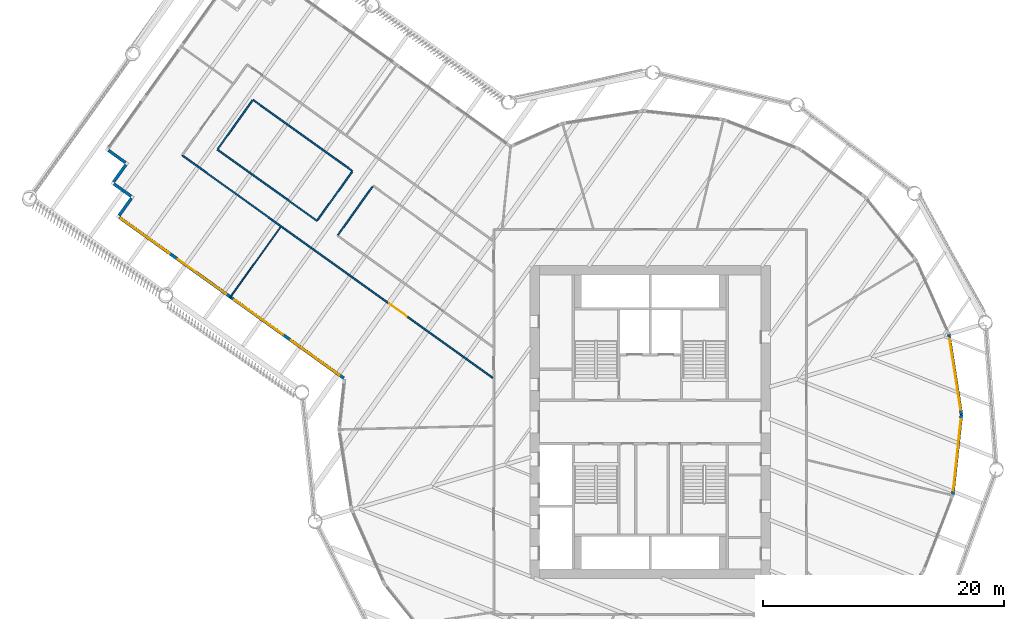
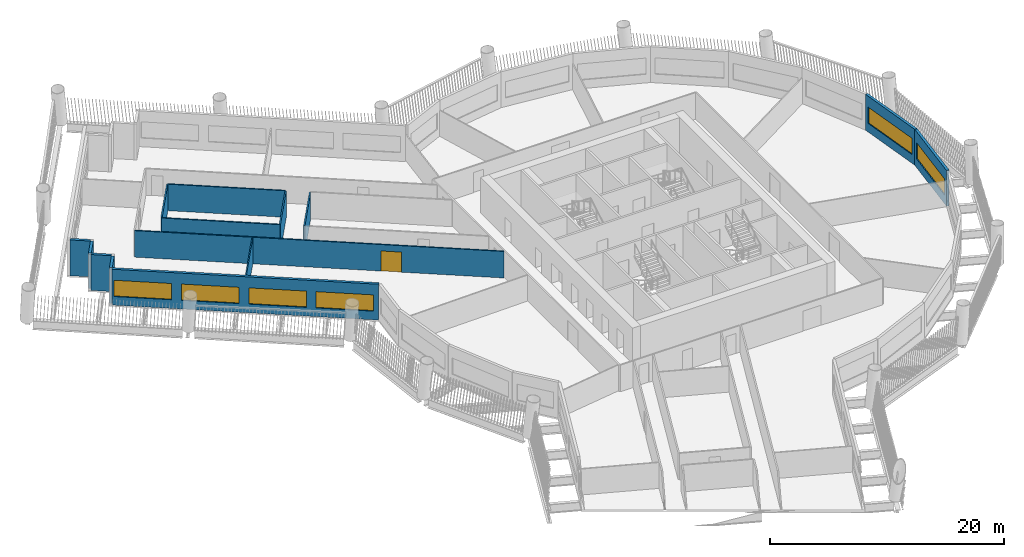
# One storey, part 6 of 17: 14 walls, 6 windows, 1 door, 7 openings.
"""IFC4 building model written with IfcOpenShell, lengths in metres."""

from ifc_helpers import new_model, si_unit, direction, frame, frame_2d, origin, place, context, subcontext, project, spatial, rectangle, extrude, material, layer, layer_set, type_object, element, fill, save


model = new_model("IFC4")

# Units and contexts
model_context = context("Model", 3, precision=1e-05, world=origin(), true_north=direction((0.0, 1.0)))
body_context = subcontext(model_context, "Body", "Model", "MODEL_VIEW")
ifc_project = project(units=[si_unit("LENGTHUNIT", "METRE"), si_unit("AREAUNIT", "SQUARE_METRE"), si_unit("VOLUMEUNIT", "CUBIC_METRE"), si_unit("PLANEANGLEUNIT", "RADIAN"), si_unit("MASSUNIT", "GRAM", prefix="KILO")], contexts=[model_context])

# Site, building, storey
site_placement = place(None, origin())
site = spatial("IfcSite", under=ifc_project, at=site_placement, CompositionType="ELEMENT")
building_placement = place(site_placement, origin())
building = spatial("IfcBuilding", under=site, at=building_placement, Name="Tarsis Ring Headquarters", CompositionType="ELEMENT")
storey_placement = place(building_placement, frame((0.0, 0.0, 127.89990234375)))
storey = spatial("IfcBuildingStorey", under=building, at=storey_placement, Name="L29", CompositionType="ELEMENT", Elevation=127.89990234375)

# Wall
ifc_material_1 = material(Name="Gypsum board on steel studs", Category="steel")
ifc_layer_1 = layer(ifc_material_1, 0.10009765625)
ifc_layer_set_1 = layer_set([ifc_layer_1], Name="FL partition 100 unrated")
wall_type_1 = type_object("IfcWallType", Name="FL partition 100 unrated", PredefinedType="PARTITIONING", material=ifc_layer_set_1)
wall_1_placement = place(storey_placement, frame((-34.931640625, 10.326416015625, 0.0), z_axis=(0.0, 0.0, 1.0), x_axis=(0.582414601541, 0.812891894358, 0.0)))
element("IfcWall", 1, at=wall_1_placement, inside=storey, type_object=wall_type_1, Name="Partition PW3", PredefinedType="PARTITIONING", context=body_context, shape_type="SweptSolid", body=[
    extrude(rectangle(XDim=7.240234375, YDim=0.10009765625, at=frame_2d((3.6201171875, 0.0))), origin(), (0.0, 0.0, 1.0), 2.7001953125),
])

# Wall, opening, door
ifc_layer_2 = layer(ifc_material_1, 0.125)
ifc_layer_set_2 = layer_set([ifc_layer_2], Name="FL partition 125 EI 60 H2770")
wall_type_2 = type_object("IfcWallType", Name="FL partition 125 EI 60 H2770", PredefinedType="PARTITIONING", material=ifc_layer_set_2)
wall_2_placement = place(storey_placement, frame((-38.900634765625, 22.16259765625, 0.0), z_axis=(0.0, 0.0, 1.0), x_axis=(0.812897758404, -0.582406416845, 0.0)))
wall_2 = element("IfcWall", 2, at=wall_2_placement, inside=storey, type_object=wall_type_2, Name="Partition PW1", PredefinedType="PARTITIONING", context=body_context, shape_type="SweptSolid", body=[
    extrude(rectangle(XDim=31.752197265625, YDim=0.125, at=frame_2d((15.8759765625, 0.0))), origin(), (0.0, 0.0, 1.0), 2.77001953125),
])
opening_1_placement = place(wall_2_placement, frame((21.171142578125, 0.0, 0.0)))
opening_1 = element("IfcOpeningElement", 3, at=opening_1_placement, cuts=wall_2, Name="Opening D29.15", PredefinedType="OPENING", context=body_context, shape_type="SweptSolid", body=[
    extrude(rectangle(XDim=1.800048828125, YDim=2.10009765625, at=frame_2d((0.89990234375, 1.050048828125))), frame((0.0, 0.072509765625, 0.0), z_axis=(0.0, -1.0, 0.0), x_axis=(1.0, 0.0, 0.0)), (0.0, 0.0, 1.0), 0.14501953125),
])
ifc_material_2 = material(Name="Fire-rated timber door leaf in steel frame", Category="steel")
door_type = type_object("IfcDoorType", Name="FL door FD60-1800", OperationType="DOUBLE_DOOR_SINGLE_SWING", PredefinedType="DOOR", material=ifc_material_2)
door_placement = place(opening_1_placement, origin())
door = element("IfcDoor", 4, at=door_placement, inside=storey, type_object=door_type, Name="Door D29.15", OperationType="DOUBLE_DOOR_SINGLE_SWING", OverallHeight=2.10009765625, OverallWidth=1.800048828125, PredefinedType="DOOR", context=body_context, shape_type="SweptSolid", body=[
    extrude(rectangle(XDim=1.800048828125, YDim=2.10009765625, at=frame_2d((0.89990234375, 1.050048828125))), frame((0.0, 0.02490234375, 0.0), z_axis=(0.0, -1.0, 0.0), x_axis=(1.0, 0.0, 0.0)), (0.0, 0.0, 1.0), 0.050048828125),
])
fill(opening_1, door)

# Walls
wall_3_placement = place(storey_placement, frame((-33.011962890625, 26.7763671875, 0.0), z_axis=(0.0, 0.0, 1.0), x_axis=(0.812898119355, -0.582405913044, 0.0)))
element("IfcWall", 5, at=wall_3_placement, inside=storey, type_object=wall_type_2, Name="Partition PW1", PredefinedType="PARTITIONING", context=body_context, shape_type="SweptSolid", body=[
    extrude(rectangle(XDim=10.18017578125, YDim=0.125, at=frame_2d((5.090087890625, 0.0))), origin(), (0.0, 0.0, 1.0), 2.77001953125),
])
wall_4_placement = place(storey_placement, frame((-35.970703125, 22.646728515625, 0.0), z_axis=(0.0, 0.0, 1.0), x_axis=(0.812909473377, -0.582390065243, 0.0)))
element("IfcWall", 6, at=wall_4_placement, inside=storey, type_object=wall_type_2, Name="Partition PW1", PredefinedType="PARTITIONING", context=body_context, shape_type="SweptSolid", body=[
    extrude(rectangle(XDim=10.179931640625, YDim=0.125, at=frame_2d((5.08984375, 0.0))), origin(), (0.0, 0.0, 1.0), 2.77001953125),
])
wall_5_placement = place(storey_placement, frame((-35.935546875, 22.695556640625, 0.0), z_axis=(0.0, 0.0, 1.0), x_axis=(0.582396985963, 0.812904515144, 0.0)))
element("IfcWall", 7, at=wall_5_placement, inside=storey, type_object=wall_type_2, Name="Partition PW1", PredefinedType="PARTITIONING", context=body_context, shape_type="SweptSolid", body=[
    extrude(rectangle(XDim=4.9599609375, YDim=0.125, at=frame_2d((2.47998046875, 0.0))), origin(), (0.0, 0.0, 1.0), 2.77001953125),
])
wall_6_placement = place(storey_placement, frame((-25.953125, 15.543701171875, 0.0), z_axis=(0.0, 0.0, 1.0), x_axis=(0.582420290074, 0.812887818651, 0.0)))
element("IfcWall", 8, at=wall_6_placement, inside=storey, type_object=wall_type_2, Name="Partition PW1", PredefinedType="PARTITIONING", context=body_context, shape_type="SweptSolid", body=[
    extrude(rectangle(XDim=4.959716796875, YDim=0.125, at=frame_2d((2.47998046875, 0.0))), origin(), (0.0, 0.0, 1.0), 2.77001953125),
])
wall_7_placement = place(storey_placement, frame((-27.660400390625, 16.7666015625, 0.0), z_axis=(0.0, 0.0, 1.0), x_axis=(0.582429511266, 0.812881211744, 0.0)))
element("IfcWall", 9, at=wall_7_placement, inside=storey, type_object=wall_type_2, Name="Partition PW1", PredefinedType="PARTITIONING", context=body_context, shape_type="SweptSolid", body=[
    extrude(rectangle(XDim=4.960205078125, YDim=0.125, at=frame_2d((2.47998046875, 0.0))), origin(), (0.0, 0.0, 1.0), 2.77001953125),
])

# Wall, openings, windows
ifc_material_3 = material(Name="Terracotta clad insulated panel wall", Category="masonry")
ifc_layer_3 = layer(ifc_material_3, 0.25)
ifc_layer_set_3 = layer_set([ifc_layer_3], Name="Facade wall terracotta panel 250")
wall_type_3 = type_object("IfcWallType", Name="Facade wall terracotta panel 250", PredefinedType="STANDARD", material=ifc_layer_set_3)
wall_8_placement = place(storey_placement, frame((-44.106201171875, 16.991943359375, 0.0), z_axis=(0.0, 0.0, 1.0), x_axis=(0.812899992898, -0.582403298022, 0.0)))
wall_8 = element("IfcWall", 10, at=wall_8_placement, inside=storey, type_object=wall_type_3, Name="External wall L29-01", PredefinedType="STANDARD", context=body_context, shape_type="SweptSolid", body=[
    extrude(rectangle(XDim=22.922119140625, YDim=0.25, at=frame_2d((11.4609375, 0.0))), origin(), (0.0, 0.0, 1.0), 3.739990234375),
])
opening_2_placement = place(wall_8_placement, frame((0.17138671875, 0.0, 0.89990234375)))
opening_2 = element("IfcOpeningElement", 11, at=opening_2_placement, cuts=wall_8, Name="Opening WN05", PredefinedType="OPENING", context=body_context, shape_type="SweptSolid", body=[
    extrude(rectangle(XDim=4.949951171875, YDim=1.699951171875, at=frame_2d((2.47509765625, 0.85009765625))), frame((0.0, 0.135009765625, 0.0), z_axis=(0.0, -1.0, 0.0), x_axis=(1.0, 0.0, 0.0)), (0.0, 0.0, 1.0), 0.27001953125),
])
opening_3_placement = place(wall_8_placement, frame((5.964599609375, 0.0, 0.89990234375)))
opening_3 = element("IfcOpeningElement", 12, at=opening_3_placement, cuts=wall_8, Name="Opening WN05", PredefinedType="OPENING", context=body_context, shape_type="SweptSolid", body=[
    extrude(rectangle(XDim=4.949951171875, YDim=1.699951171875, at=frame_2d((2.47509765625, 0.85009765625))), frame((0.0, 0.135009765625, 0.0), z_axis=(0.0, -1.0, 0.0), x_axis=(1.0, 0.0, 0.0)), (0.0, 0.0, 1.0), 0.27001953125),
])
opening_4_placement = place(wall_8_placement, frame((11.757568359375, 0.0, 0.89990234375)))
opening_4 = element("IfcOpeningElement", 13, at=opening_4_placement, cuts=wall_8, Name="Opening WN05", PredefinedType="OPENING", context=body_context, shape_type="SweptSolid", body=[
    extrude(rectangle(XDim=4.949951171875, YDim=1.699951171875, at=frame_2d((2.47509765625, 0.85009765625))), frame((0.0, 0.135009765625, 0.0), z_axis=(0.0, -1.0, 0.0), x_axis=(1.0, 0.0, 0.0)), (0.0, 0.0, 1.0), 0.27001953125),
])
opening_5_placement = place(wall_8_placement, frame((17.550537109375, 0.0, 0.89990234375)))
opening_5 = element("IfcOpeningElement", 14, at=opening_5_placement, cuts=wall_8, Name="Opening WN05", PredefinedType="OPENING", context=body_context, shape_type="SweptSolid", body=[
    extrude(rectangle(XDim=4.949951171875, YDim=1.699951171875, at=frame_2d((2.47509765625, 0.85009765625))), frame((0.0, 0.135009765625, 0.0), z_axis=(0.0, -1.0, 0.0), x_axis=(1.0, 0.0, 0.0)), (0.0, 0.0, 1.0), 0.27001953125),
])
ifc_material_4 = material(Name="Aluminium framed double glazing", Category="aluminium")
window_type_1 = type_object("IfcWindowType", Name="Facade window 4950 x 1700", PartitioningType="SINGLE_PANEL", PredefinedType="WINDOW", material=ifc_material_4)
window_1_placement = place(opening_2_placement, origin())
window_1 = element("IfcWindow", 15, at=window_1_placement, inside=storey, type_object=window_type_1, Name="Window L29-01.1", OverallHeight=1.699951171875, OverallWidth=4.949951171875, PartitioningType="SINGLE_PANEL", PredefinedType="WINDOW", context=body_context, shape_type="SweptSolid", body=[
    extrude(rectangle(XDim=4.949951171875, YDim=1.699951171875, at=frame_2d((2.47509765625, 0.85009765625))), frame((0.0, 0.030029296875, 0.0), z_axis=(0.0, -1.0, 0.0), x_axis=(1.0, 0.0, 0.0)), (0.0, 0.0, 1.0), 0.06005859375),
])
fill(opening_2, window_1)
window_2_placement = place(opening_3_placement, origin())
window_2 = element("IfcWindow", 16, at=window_2_placement, inside=storey, type_object=window_type_1, Name="Window L29-01.2", OverallHeight=1.699951171875, OverallWidth=4.949951171875, PartitioningType="SINGLE_PANEL", PredefinedType="WINDOW", context=body_context, shape_type="SweptSolid", body=[
    extrude(rectangle(XDim=4.949951171875, YDim=1.699951171875, at=frame_2d((2.47509765625, 0.85009765625))), frame((0.0, 0.030029296875, 0.0), z_axis=(0.0, -1.0, 0.0), x_axis=(1.0, 0.0, 0.0)), (0.0, 0.0, 1.0), 0.06005859375),
])
fill(opening_3, window_2)
window_3_placement = place(opening_4_placement, origin())
window_3 = element("IfcWindow", 17, at=window_3_placement, inside=storey, type_object=window_type_1, Name="Window L29-01.3", OverallHeight=1.699951171875, OverallWidth=4.949951171875, PartitioningType="SINGLE_PANEL", PredefinedType="WINDOW", context=body_context, shape_type="SweptSolid", body=[
    extrude(rectangle(XDim=4.949951171875, YDim=1.699951171875, at=frame_2d((2.47509765625, 0.85009765625))), frame((0.0, 0.030029296875, 0.0), z_axis=(0.0, -1.0, 0.0), x_axis=(1.0, 0.0, 0.0)), (0.0, 0.0, 1.0), 0.06005859375),
])
fill(opening_4, window_3)
window_4_placement = place(opening_5_placement, origin())
window_4 = element("IfcWindow", 18, at=window_4_placement, inside=storey, type_object=window_type_1, Name="Window L29-01.4", OverallHeight=1.699951171875, OverallWidth=4.949951171875, PartitioningType="SINGLE_PANEL", PredefinedType="WINDOW", context=body_context, shape_type="SweptSolid", body=[
    extrude(rectangle(XDim=4.949951171875, YDim=1.699951171875, at=frame_2d((2.47509765625, 0.85009765625))), frame((0.0, 0.030029296875, 0.0), z_axis=(0.0, -1.0, 0.0), x_axis=(1.0, 0.0, 0.0)), (0.0, 0.0, 1.0), 0.06005859375),
])
fill(opening_5, window_4)

# Wall, opening, window
wall_9_placement = place(storey_placement, frame((25.14794921875, -6.076416015625, 0.0), z_axis=(0.0, 0.0, 1.0), x_axis=(0.106643419371, 0.994297330332, 0.0)))
wall_9 = element("IfcWall", 19, at=wall_9_placement, inside=storey, type_object=wall_type_3, Name="External wall L29-22", PredefinedType="STANDARD", context=body_context, shape_type="SweptSolid", body=[
    extrude(rectangle(XDim=6.721435546875, YDim=0.25, at=frame_2d((3.36083984375, 0.0))), origin(), (0.0, 0.0, 1.0), 3.739990234375),
])
opening_6_placement = place(wall_9_placement, frame((0.3857421875, 0.0, 0.89990234375)))
opening_6 = element("IfcOpeningElement", 20, at=opening_6_placement, cuts=wall_9, Name="Opening WN07", PredefinedType="OPENING", context=body_context, shape_type="SweptSolid", body=[
    extrude(rectangle(XDim=5.949951171875, YDim=1.699951171875, at=frame_2d((2.97509765625, 0.85009765625))), frame((0.0, 0.135009765625, 0.0), z_axis=(0.0, -1.0, 0.0), x_axis=(1.0, 0.0, 0.0)), (0.0, 0.0, 1.0), 0.27001953125),
])
window_type_2 = type_object("IfcWindowType", Name="Facade window 5950 x 1700", PartitioningType="SINGLE_PANEL", PredefinedType="WINDOW", material=ifc_material_4)
window_5_placement = place(opening_6_placement, origin())
window_5 = element("IfcWindow", 21, at=window_5_placement, inside=storey, type_object=window_type_2, Name="Window L29-22.1", OverallHeight=1.699951171875, OverallWidth=5.949951171875, PartitioningType="SINGLE_PANEL", PredefinedType="WINDOW", context=body_context, shape_type="SweptSolid", body=[
    extrude(rectangle(XDim=5.949951171875, YDim=1.699951171875, at=frame_2d((2.97509765625, 0.85009765625))), frame((0.0, 0.030029296875, 0.0), z_axis=(0.0, -1.0, 0.0), x_axis=(1.0, 0.0, 0.0)), (0.0, 0.0, 1.0), 0.06005859375),
])
fill(opening_6, window_5)

wall_10_placement = place(storey_placement, frame((25.86376953125, 0.639404296875, 0.0), z_axis=(0.0, 0.0, 1.0), x_axis=(-0.154335882733, 0.988018438745, 0.0)))
wall_10 = element("IfcWall", 22, at=wall_10_placement, inside=storey, type_object=wall_type_3, Name="External wall L29-23", PredefinedType="STANDARD", context=body_context, shape_type="SweptSolid", body=[
    extrude(rectangle(XDim=6.721435546875, YDim=0.25, at=frame_2d((3.36083984375, 0.0))), origin(), (0.0, 0.0, 1.0), 3.739990234375),
])
opening_7_placement = place(wall_10_placement, frame((0.3857421875, 0.0, 0.89990234375)))
opening_7 = element("IfcOpeningElement", 23, at=opening_7_placement, cuts=wall_10, Name="Opening WN07", PredefinedType="OPENING", context=body_context, shape_type="SweptSolid", body=[
    extrude(rectangle(XDim=5.949951171875, YDim=1.699951171875, at=frame_2d((2.97509765625, 0.85009765625))), frame((0.0, 0.135009765625, 0.0), z_axis=(0.0, -1.0, 0.0), x_axis=(1.0, 0.0, 0.0)), (0.0, 0.0, 1.0), 0.27001953125),
])
window_6_placement = place(opening_7_placement, origin())
window_6 = element("IfcWindow", 24, at=window_6_placement, inside=storey, type_object=window_type_2, Name="Window L29-23.1", OverallHeight=1.699951171875, OverallWidth=5.949951171875, PartitioningType="SINGLE_PANEL", PredefinedType="WINDOW", context=body_context, shape_type="SweptSolid", body=[
    extrude(rectangle(XDim=5.949951171875, YDim=1.699951171875, at=frame_2d((2.97509765625, 0.85009765625))), frame((0.0, 0.030029296875, 0.0), z_axis=(0.0, -1.0, 0.0), x_axis=(1.0, 0.0, 0.0)), (0.0, 0.0, 1.0), 0.06005859375),
])
fill(opening_7, window_6)

# Walls
for number, where, z_axis, x_axis, name in (
    (25, (-45.028076171875, 22.5732421875, 0.0), (0.0, 0.0, 1.0), (0.812884275137, -0.582425235747, 0.0), "External wall L29-37"),
    (26, (-43.57666015625, 21.379638671875, 0.0), (0.0, 0.0, 1.0), (-0.582425235747, -0.812884275137, 0.0), "External wall L29-38"),
    (27, (-44.567138671875, 19.782470703125, 0.0), (0.0, 0.0, 1.0), (0.812950322202, -0.582333043568, 0.0), "External wall L29-39"),
    (28, (-43.11572265625, 18.5888671875, 0.0), (0.0, 0.0, 1.0), (-0.582425235747, -0.812884275137, 0.0), "External wall L29-40"),
):
    element("IfcWall", number, at=place(storey_placement, frame(where, z_axis=z_axis, x_axis=x_axis)), inside=storey, type_object=wall_type_3, Name=name, PredefinedType="STANDARD", context=body_context, shape_type="SweptSolid", body=[
        extrude(rectangle(XDim=1.75, YDim=0.25, at=frame_2d((0.875, 0.0))), origin(), (0.0, 0.0, 1.0), 3.739990234375),
    ])

save(model, "model.ifc")
